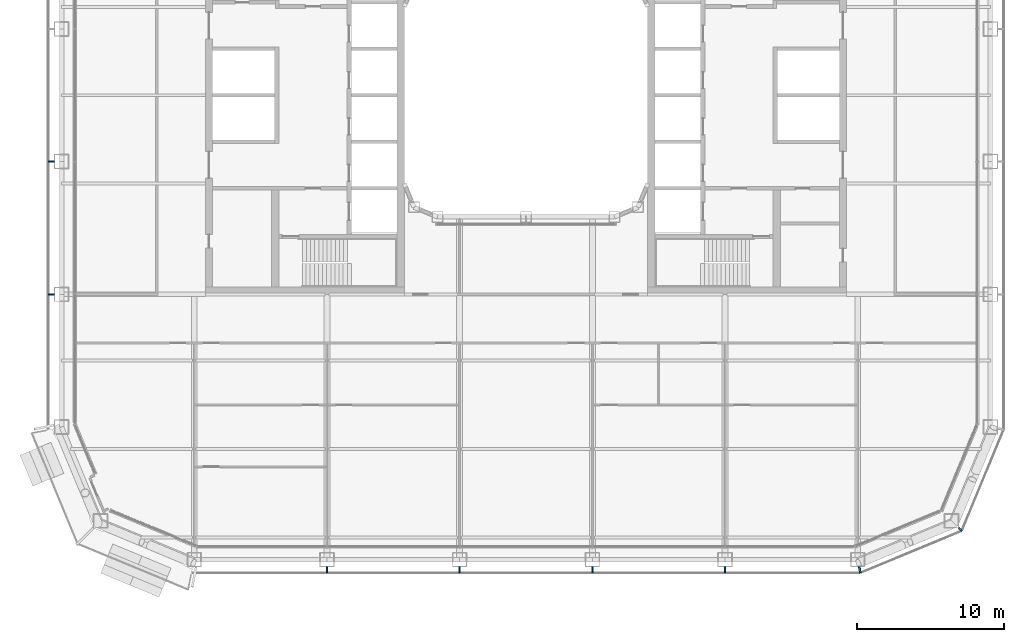
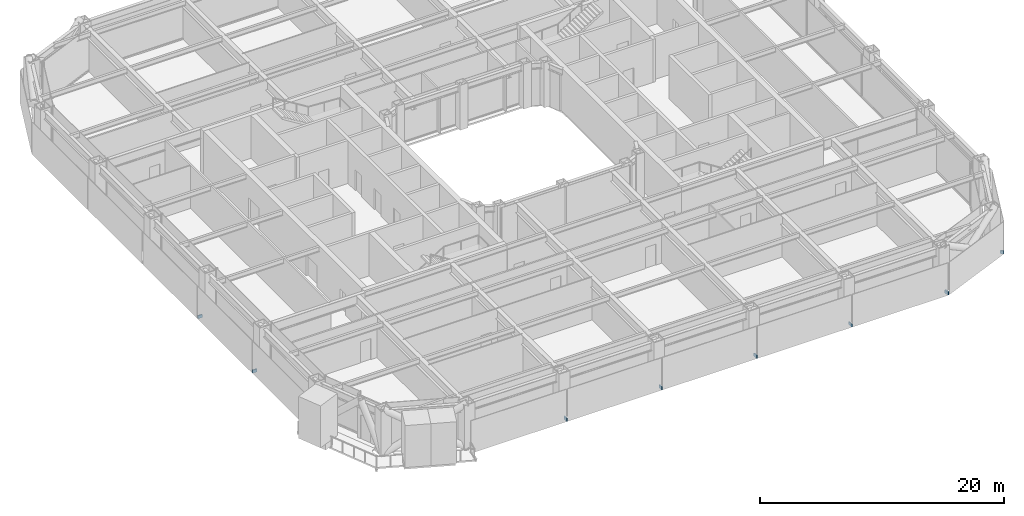
# One storey, part 19 of 27: 8 discrete accessories.
"""IFC4 building model written with IfcOpenShell, lengths in metres."""

from ifc_helpers import new_model, si_unit, direction, frame, origin, origin_2d, place, context, subcontext, project, spatial, rectangle, extrude, material, type_object, element, save


model = new_model("IFC4")

# Units and contexts
model_context = context("Model", 3, precision=1e-05, world=origin(), true_north=direction((0.0, 1.0)))
body_context = subcontext(model_context, "Body", "Model", "MODEL_VIEW")
ifc_project = project(units=[si_unit("LENGTHUNIT", "METRE"), si_unit("AREAUNIT", "SQUARE_METRE"), si_unit("VOLUMEUNIT", "CUBIC_METRE"), si_unit("PLANEANGLEUNIT", "RADIAN"), si_unit("MASSUNIT", "GRAM", prefix="KILO")], contexts=[model_context])

# Site, building, storey
site_placement = place(None, origin())
site = spatial("IfcSite", under=ifc_project, at=site_placement, CompositionType="ELEMENT")
building_placement = place(site_placement, origin())
building = spatial("IfcBuilding", under=site, at=building_placement, Name="Siwar Civic Tower", CompositionType="ELEMENT")
storey_placement = place(building_placement, frame((0.0, 0.0, 89.699951171875)))
storey = spatial("IfcBuildingStorey", under=building, at=storey_placement, Name="L19", CompositionType="ELEMENT", Elevation=89.699951171875)

# Discrete accessories
ifc_material = material(Name="Stainless steel 316", Category="steel")
discrete_accessory_type = type_object("IfcDiscreteAccessoryType", Name="ENV-BRACKET", PredefinedType="BRACKET", material=ifc_material)
for number, where, z_axis, x_axis, name in (
    (1, (-13.5, -32.18994140625, -0.14990234375), (0.0, 0.0, 1.0), (0.0, -1.0, 0.0), "Bracket outer skin joint S-01"),
    (2, (-4.5, -32.18994140625, -0.14990234375), (0.0, 0.0, 1.0), (0.0, -1.0, 0.0), "Bracket outer skin joint S-02"),
    (3, (4.5, -32.18994140625, -0.14990234375), (0.0, 0.0, 1.0), (0.0, -1.0, 0.0), "Bracket outer skin joint S-03"),
    (4, (13.5, -32.18994140625, -0.14990234375), (0.0, 0.0, 1.0), (0.0, -1.0, 0.0), "Bracket outer skin joint S-04"),
):
    element("IfcDiscreteAccessory", number, at=place(storey_placement, frame(where, z_axis=z_axis, x_axis=x_axis)), inside=storey, type_object=discrete_accessory_type, Name=name, PredefinedType="BRACKET", context=body_context, shape_type="SweptSolid", body=[
        extrude(rectangle(XDim=0.419921875, YDim=0.10009765625, at=origin_2d()), origin(), (0.0, 0.0, 1.0), 0.300048828125),
    ])
discrete_accessory_1_placement = place(storey_placement, frame((22.63720703125, -32.190185546875, -0.14990234375), z_axis=(0.0, 0.0, 1.0), x_axis=(0.195090322016, -0.980785280403, 0.0)))
element("IfcDiscreteAccessory", 5, at=discrete_accessory_1_placement, inside=storey, type_object=discrete_accessory_type, Name="Bracket outer skin joint V01", PredefinedType="BRACKET", context=body_context, shape_type="SweptSolid", body=[
    extrude(rectangle(XDim=0.427734375, YDim=0.13720703125, at=origin_2d()), origin(), (0.0, 0.0, 1.0), 0.300048828125),
])
discrete_accessory_2_placement = place(storey_placement, frame((29.451416015625, -29.451416015625, -0.14990234375), z_axis=(0.0, 0.0, 1.0), x_axis=(0.707106781187, -0.707106781187, 0.0)))
element("IfcDiscreteAccessory", 6, at=discrete_accessory_2_placement, inside=storey, type_object=discrete_accessory_type, Name="Bracket outer skin joint V02", PredefinedType="BRACKET", context=body_context, shape_type="SweptSolid", body=[
    extrude(rectangle(XDim=0.287109375, YDim=0.12939453125, at=origin_2d()), origin(), (0.0, 0.0, 1.0), 0.300048828125),
])
for number, where, z_axis, x_axis, name in (
    (7, (-32.18994140625, -4.5, -0.14990234375), (0.0, 0.0, 1.0), (-1.0, 0.0, 0.0), "Bracket outer skin joint W-03"),
    (8, (-32.18994140625, -13.5, -0.14990234375), (0.0, 0.0, 1.0), (-1.0, 0.0, 0.0), "Bracket outer skin joint W-04"),
):
    element("IfcDiscreteAccessory", number, at=place(storey_placement, frame(where, z_axis=z_axis, x_axis=x_axis)), inside=storey, type_object=discrete_accessory_type, Name=name, PredefinedType="BRACKET", context=body_context, shape_type="SweptSolid", body=[
        extrude(rectangle(XDim=0.419921875, YDim=0.10009765625, at=origin_2d()), origin(), (0.0, 0.0, 1.0), 0.300048828125),
    ])

save(model, "model.ifc")
